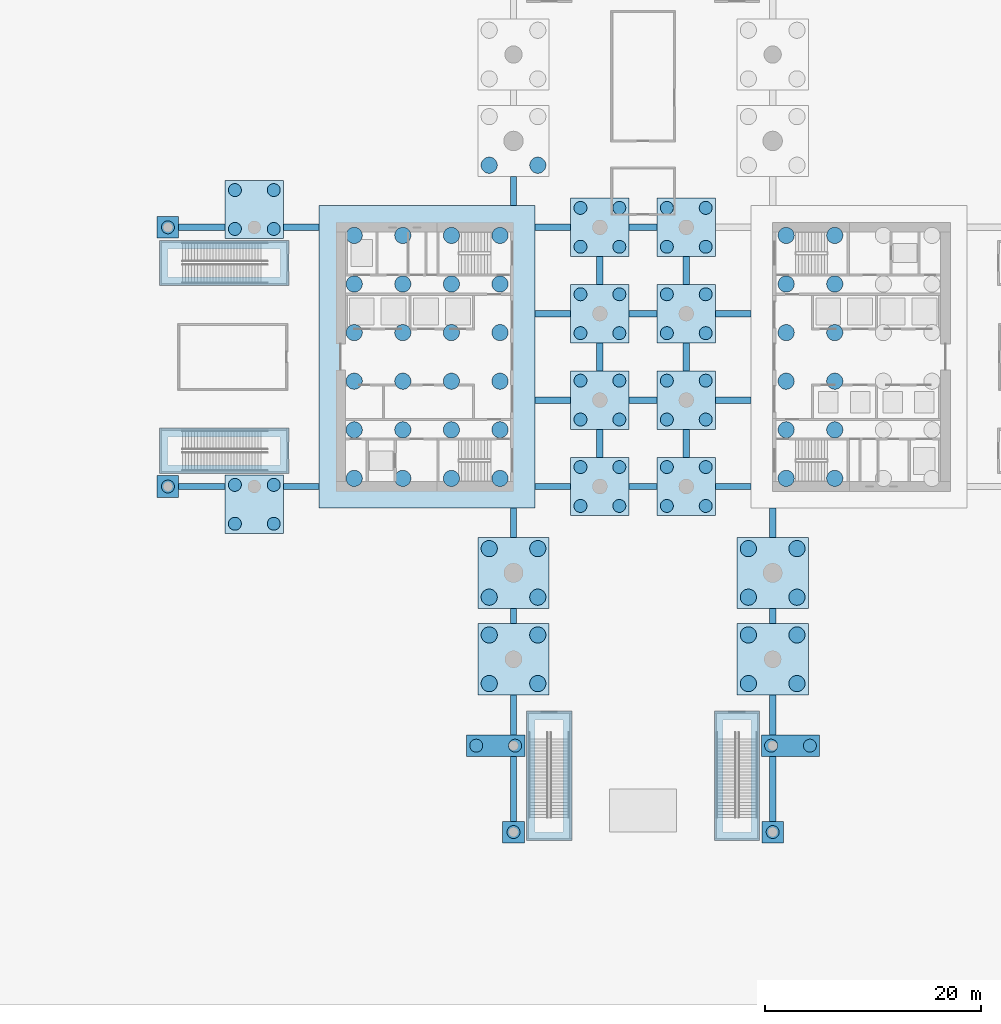
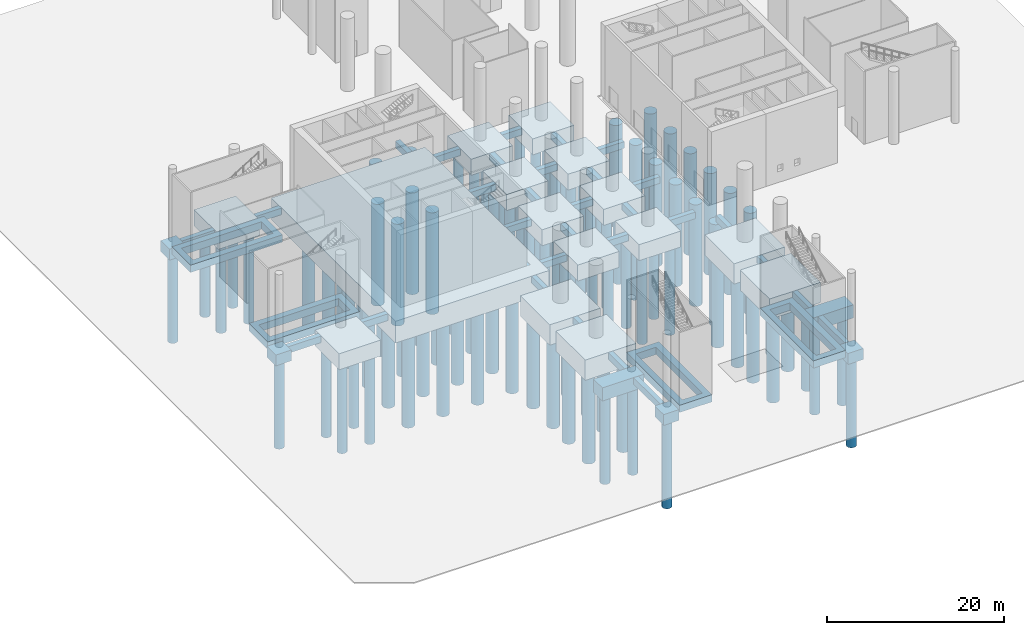
# One storey, part 1 of 14: 102 piles, 55 footings.
"""IFC4 building model written with IfcOpenShell, lengths in metres."""

from ifc_helpers import new_model, si_unit, direction, frame, origin, origin_2d, place, context, subcontext, project, spatial, polyline, rectangle, circle, outline, extrude, material, layer, layer_set, material_profile, profile_set, type_object, element, save


model = new_model("IFC4")

# Units and contexts
model_context = context("Model", 3, precision=1e-05, world=origin(), true_north=direction((0.0, 1.0)))
body_context = subcontext(model_context, "Body", "Model", "MODEL_VIEW")
ifc_project = project(units=[si_unit("LENGTHUNIT", "METRE"), si_unit("AREAUNIT", "SQUARE_METRE"), si_unit("VOLUMEUNIT", "CUBIC_METRE"), si_unit("PLANEANGLEUNIT", "RADIAN"), si_unit("MASSUNIT", "GRAM", prefix="KILO")], contexts=[model_context])

# Site, building, storey
site_placement = place(None, origin())
site = spatial("IfcSite", under=ifc_project, at=site_placement, CompositionType="ELEMENT")
building_placement = place(site_placement, origin())
building = spatial("IfcBuilding", under=site, at=building_placement, Name="Crosswind Convention Tower", CompositionType="ELEMENT")
storey_placement = place(building_placement, origin())
storey = spatial("IfcBuildingStorey", under=building, at=storey_placement, Name="L00", CompositionType="ELEMENT", Elevation=0.0)

# Piles
ifc_material = material(Name="Concrete C40/50", Category="concrete")
ifc_material_profile_1 = material_profile(ifc_material, circle(Radius=0.60009765625, at=origin_2d()), Name="Bored pile D1200")
ifc_profile_set_1 = profile_set([ifc_material_profile_1], Name="Concrete C40/50")
pile_type_1 = type_object("IfcPileType", Name="Bored pile D1200", PredefinedType="BORED", material=ifc_profile_set_1)
for number, where, z_axis, x_axis, name in (
    (1, (81.0, 88.0, -1.89990234375), (0.0, 0.0, -1.0), (1.0, 0.0, 0.0), "Bored pile D1200 at 1/E"),
    (2, (81.0, 112.0, -1.89990234375), (0.0, 0.0, -1.0), (1.0, 0.0, 0.0), "Bored pile D1200 at 1/H"),
    (3, (87.199951171875, 84.550048828125, -2.60009765625), (0.0, 0.0, -1.0), (1.0, 0.0, 0.0), "Bored pile D1200 at 2/E"),
    (4, (90.800048828125, 84.550048828125, -2.60009765625), (0.0, 0.0, -1.0), (1.0, 0.0, 0.0), "Bored pile D1200 at 2/E"),
    (5, (87.199951171875, 88.14990234375, -2.60009765625), (0.0, 0.0, -1.0), (1.0, 0.0, 0.0), "Bored pile D1200 at 2/E"),
    (6, (90.800048828125, 88.14990234375, -2.60009765625), (0.0, 0.0, -1.0), (1.0, 0.0, 0.0), "Bored pile D1200 at 2/E"),
    (7, (87.199951171875, 111.85009765625, -2.60009765625), (0.0, 0.0, -1.0), (1.0, 0.0, 0.0), "Bored pile D1200 at 2/H"),
    (8, (90.800048828125, 111.85009765625, -2.60009765625), (0.0, 0.0, -1.0), (1.0, 0.0, 0.0), "Bored pile D1200 at 2/H"),
    (9, (87.199951171875, 115.449951171875, -2.60009765625), (0.0, 0.0, -1.0), (1.0, 0.0, 0.0), "Bored pile D1200 at 2/H"),
    (10, (90.800048828125, 115.449951171875, -2.60009765625), (0.0, 0.0, -1.0), (1.0, 0.0, 0.0), "Bored pile D1200 at 2/H"),
    (11, (113.0, 56.0, -1.89990234375), (0.0, 0.0, -1.0), (1.0, 0.0, 0.0), "Bored pile D1200 at 5/A"),
    (12, (109.550048828125, 64.0, -2.199951171875), (0.0, 0.0, -1.0), (1.0, 0.0, 0.0), "Bored pile D1200 at 5/B"),
    (13, (113.14990234375, 64.0, -2.199951171875), (0.0, 0.0, -1.0), (1.0, 0.0, 0.0), "Bored pile D1200 at 5/B"),
    (14, (119.199951171875, 86.199951171875, -2.60009765625), (0.0, 0.0, -1.0), (1.0, 0.0, 0.0), "Bored pile D1200 at 6/E"),
    (15, (122.800048828125, 86.199951171875, -2.60009765625), (0.0, 0.0, -1.0), (1.0, 0.0, 0.0), "Bored pile D1200 at 6/E"),
    (16, (119.199951171875, 89.800048828125, -2.60009765625), (0.0, 0.0, -1.0), (1.0, 0.0, 0.0), "Bored pile D1200 at 6/E"),
    (17, (122.800048828125, 89.800048828125, -2.60009765625), (0.0, 0.0, -1.0), (1.0, 0.0, 0.0), "Bored pile D1200 at 6/E"),
    (18, (119.199951171875, 94.199951171875, -2.60009765625), (0.0, 0.0, -1.0), (1.0, 0.0, 0.0), "Bored pile D1200 at 6/F"),
    (19, (122.800048828125, 94.199951171875, -2.60009765625), (0.0, 0.0, -1.0), (1.0, 0.0, 0.0), "Bored pile D1200 at 6/F"),
    (20, (119.199951171875, 97.800048828125, -2.60009765625), (0.0, 0.0, -1.0), (1.0, 0.0, 0.0), "Bored pile D1200 at 6/F"),
    (21, (122.800048828125, 97.800048828125, -2.60009765625), (0.0, 0.0, -1.0), (1.0, 0.0, 0.0), "Bored pile D1200 at 6/F"),
    (22, (119.199951171875, 102.199951171875, -2.60009765625), (0.0, 0.0, -1.0), (1.0, 0.0, 0.0), "Bored pile D1200 at 6/G"),
    (23, (122.800048828125, 102.199951171875, -2.60009765625), (0.0, 0.0, -1.0), (1.0, 0.0, 0.0), "Bored pile D1200 at 6/G"),
    (24, (119.199951171875, 105.800048828125, -2.60009765625), (0.0, 0.0, -1.0), (1.0, 0.0, 0.0), "Bored pile D1200 at 6/G"),
    (25, (122.800048828125, 105.800048828125, -2.60009765625), (0.0, 0.0, -1.0), (1.0, 0.0, 0.0), "Bored pile D1200 at 6/G"),
    (26, (119.199951171875, 110.199951171875, -2.60009765625), (0.0, 0.0, -1.0), (1.0, 0.0, 0.0), "Bored pile D1200 at 6/H"),
    (27, (122.800048828125, 110.199951171875, -2.60009765625), (0.0, 0.0, -1.0), (1.0, 0.0, 0.0), "Bored pile D1200 at 6/H"),
    (28, (119.199951171875, 113.800048828125, -2.60009765625), (0.0, 0.0, -1.0), (1.0, 0.0, 0.0), "Bored pile D1200 at 6/H"),
    (29, (122.800048828125, 113.800048828125, -2.60009765625), (0.0, 0.0, -1.0), (1.0, 0.0, 0.0), "Bored pile D1200 at 6/H"),
    (30, (127.199951171875, 86.199951171875, -2.60009765625), (0.0, 0.0, -1.0), (1.0, 0.0, 0.0), "Bored pile D1200 at 7/E"),
    (31, (130.800048828125, 86.199951171875, -2.60009765625), (0.0, 0.0, -1.0), (1.0, 0.0, 0.0), "Bored pile D1200 at 7/E"),
    (32, (127.199951171875, 89.800048828125, -2.60009765625), (0.0, 0.0, -1.0), (1.0, 0.0, 0.0), "Bored pile D1200 at 7/E"),
    (33, (130.800048828125, 89.800048828125, -2.60009765625), (0.0, 0.0, -1.0), (1.0, 0.0, 0.0), "Bored pile D1200 at 7/E"),
    (34, (127.199951171875, 94.199951171875, -2.60009765625), (0.0, 0.0, -1.0), (1.0, 0.0, 0.0), "Bored pile D1200 at 7/F"),
    (35, (130.800048828125, 94.199951171875, -2.60009765625), (0.0, 0.0, -1.0), (1.0, 0.0, 0.0), "Bored pile D1200 at 7/F"),
    (36, (127.199951171875, 97.800048828125, -2.60009765625), (0.0, 0.0, -1.0), (1.0, 0.0, 0.0), "Bored pile D1200 at 7/F"),
    (37, (130.800048828125, 97.800048828125, -2.60009765625), (0.0, 0.0, -1.0), (1.0, 0.0, 0.0), "Bored pile D1200 at 7/F"),
    (38, (127.199951171875, 102.199951171875, -2.60009765625), (0.0, 0.0, -1.0), (1.0, 0.0, 0.0), "Bored pile D1200 at 7/G"),
    (39, (130.800048828125, 102.199951171875, -2.60009765625), (0.0, 0.0, -1.0), (1.0, 0.0, 0.0), "Bored pile D1200 at 7/G"),
    (40, (127.199951171875, 105.800048828125, -2.60009765625), (0.0, 0.0, -1.0), (1.0, 0.0, 0.0), "Bored pile D1200 at 7/G"),
    (41, (130.800048828125, 105.800048828125, -2.60009765625), (0.0, 0.0, -1.0), (1.0, 0.0, 0.0), "Bored pile D1200 at 7/G"),
    (42, (127.199951171875, 110.199951171875, -2.60009765625), (0.0, 0.0, -1.0), (1.0, 0.0, 0.0), "Bored pile D1200 at 7/H"),
    (43, (130.800048828125, 110.199951171875, -2.60009765625), (0.0, 0.0, -1.0), (1.0, 0.0, 0.0), "Bored pile D1200 at 7/H"),
    (44, (127.199951171875, 113.800048828125, -2.60009765625), (0.0, 0.0, -1.0), (1.0, 0.0, 0.0), "Bored pile D1200 at 7/H"),
    (45, (130.800048828125, 113.800048828125, -2.60009765625), (0.0, 0.0, -1.0), (1.0, 0.0, 0.0), "Bored pile D1200 at 7/H"),
    (46, (137.0, 56.0, -1.89990234375), (0.0, 0.0, -1.0), (1.0, 0.0, 0.0), "Bored pile D1200 at 8/A"),
    (47, (136.85009765625, 64.0, -2.199951171875), (0.0, 0.0, -1.0), (1.0, 0.0, 0.0), "Bored pile D1200 at 8/B"),
    (48, (140.449951171875, 64.0, -2.199951171875), (0.0, 0.0, -1.0), (1.0, 0.0, 0.0), "Bored pile D1200 at 8/B"),
):
    element("IfcPile", number, at=place(storey_placement, frame(where, z_axis=z_axis, x_axis=x_axis)), inside=storey, type_object=pile_type_1, Name=name, PredefinedType="BORED", context=body_context, shape_type="SweptSolid", body=[
        extrude(circle(Radius=0.60009765625, at=origin_2d()), origin(), (0.0, 0.0, 1.0), 12.0),
    ])
ifc_material_profile_2 = material_profile(ifc_material, circle(Radius=0.75, at=origin_2d()), Name="Bored pile D1500")
ifc_profile_set_2 = profile_set([ifc_material_profile_2], Name="Concrete C40/50")
pile_type_2 = type_object("IfcPileType", Name="Bored pile D1500", PredefinedType="BORED", material=ifc_profile_set_2)
for number, where, z_axis, x_axis, name in (
    (49, (138.25, 88.75, -3.39990234375), (0.0, 0.0, -1.0), (1.0, 0.0, 0.0), "Bored pile D1500 under core raft E"),
    (50, (138.25, 93.25, -3.39990234375), (0.0, 0.0, -1.0), (1.0, 0.0, 0.0), "Bored pile D1500 under core raft E"),
    (51, (138.25, 97.75, -3.39990234375), (0.0, 0.0, -1.0), (1.0, 0.0, 0.0), "Bored pile D1500 under core raft E"),
    (52, (138.25, 102.25, -3.39990234375), (0.0, 0.0, -1.0), (1.0, 0.0, 0.0), "Bored pile D1500 under core raft E"),
    (53, (138.25, 106.75, -3.39990234375), (0.0, 0.0, -1.0), (1.0, 0.0, 0.0), "Bored pile D1500 under core raft E"),
    (54, (138.25, 111.25, -3.39990234375), (0.0, 0.0, -1.0), (1.0, 0.0, 0.0), "Bored pile D1500 under core raft E"),
    (55, (142.75, 88.75, -3.39990234375), (0.0, 0.0, -1.0), (1.0, 0.0, 0.0), "Bored pile D1500 under core raft E"),
    (56, (142.75, 93.25, -3.39990234375), (0.0, 0.0, -1.0), (1.0, 0.0, 0.0), "Bored pile D1500 under core raft E"),
    (57, (142.75, 97.75, -3.39990234375), (0.0, 0.0, -1.0), (1.0, 0.0, 0.0), "Bored pile D1500 under core raft E"),
    (58, (142.75, 102.25, -3.39990234375), (0.0, 0.0, -1.0), (1.0, 0.0, 0.0), "Bored pile D1500 under core raft E"),
    (59, (142.75, 106.75, -3.39990234375), (0.0, 0.0, -1.0), (1.0, 0.0, 0.0), "Bored pile D1500 under core raft E"),
    (60, (142.75, 111.25, -3.39990234375), (0.0, 0.0, -1.0), (1.0, 0.0, 0.0), "Bored pile D1500 under core raft E"),
    (61, (98.25, 88.75, -3.39990234375), (0.0, 0.0, -1.0), (1.0, 0.0, 0.0), "Bored pile D1500 under core raft W"),
    (62, (98.25, 93.25, -3.39990234375), (0.0, 0.0, -1.0), (1.0, 0.0, 0.0), "Bored pile D1500 under core raft W"),
    (63, (98.25, 97.75, -3.39990234375), (0.0, 0.0, -1.0), (1.0, 0.0, 0.0), "Bored pile D1500 under core raft W"),
    (64, (98.25, 102.25, -3.39990234375), (0.0, 0.0, -1.0), (1.0, 0.0, 0.0), "Bored pile D1500 under core raft W"),
    (65, (98.25, 106.75, -3.39990234375), (0.0, 0.0, -1.0), (1.0, 0.0, 0.0), "Bored pile D1500 under core raft W"),
    (66, (98.25, 111.25, -3.39990234375), (0.0, 0.0, -1.0), (1.0, 0.0, 0.0), "Bored pile D1500 under core raft W"),
    (67, (102.75, 88.75, -3.39990234375), (0.0, 0.0, -1.0), (1.0, 0.0, 0.0), "Bored pile D1500 under core raft W"),
    (68, (102.75, 93.25, -3.39990234375), (0.0, 0.0, -1.0), (1.0, 0.0, 0.0), "Bored pile D1500 under core raft W"),
    (69, (102.75, 97.75, -3.39990234375), (0.0, 0.0, -1.0), (1.0, 0.0, 0.0), "Bored pile D1500 under core raft W"),
    (70, (102.75, 102.25, -3.39990234375), (0.0, 0.0, -1.0), (1.0, 0.0, 0.0), "Bored pile D1500 under core raft W"),
    (71, (102.75, 106.75, -3.39990234375), (0.0, 0.0, -1.0), (1.0, 0.0, 0.0), "Bored pile D1500 under core raft W"),
    (72, (102.75, 111.25, -3.39990234375), (0.0, 0.0, -1.0), (1.0, 0.0, 0.0), "Bored pile D1500 under core raft W"),
    (73, (107.25, 88.75, -3.39990234375), (0.0, 0.0, -1.0), (1.0, 0.0, 0.0), "Bored pile D1500 under core raft W"),
    (74, (107.25, 93.25, -3.39990234375), (0.0, 0.0, -1.0), (1.0, 0.0, 0.0), "Bored pile D1500 under core raft W"),
    (75, (107.25, 97.75, -3.39990234375), (0.0, 0.0, -1.0), (1.0, 0.0, 0.0), "Bored pile D1500 under core raft W"),
    (76, (107.25, 102.25, -3.39990234375), (0.0, 0.0, -1.0), (1.0, 0.0, 0.0), "Bored pile D1500 under core raft W"),
    (77, (107.25, 106.75, -3.39990234375), (0.0, 0.0, -1.0), (1.0, 0.0, 0.0), "Bored pile D1500 under core raft W"),
    (78, (107.25, 111.25, -3.39990234375), (0.0, 0.0, -1.0), (1.0, 0.0, 0.0), "Bored pile D1500 under core raft W"),
    (79, (111.75, 88.75, -3.39990234375), (0.0, 0.0, -1.0), (1.0, 0.0, 0.0), "Bored pile D1500 under core raft W"),
    (80, (111.75, 93.25, -3.39990234375), (0.0, 0.0, -1.0), (1.0, 0.0, 0.0), "Bored pile D1500 under core raft W"),
    (81, (111.75, 97.75, -3.39990234375), (0.0, 0.0, -1.0), (1.0, 0.0, 0.0), "Bored pile D1500 under core raft W"),
    (82, (111.75, 102.25, -3.39990234375), (0.0, 0.0, -1.0), (1.0, 0.0, 0.0), "Bored pile D1500 under core raft W"),
    (83, (111.75, 106.75, -3.39990234375), (0.0, 0.0, -1.0), (1.0, 0.0, 0.0), "Bored pile D1500 under core raft W"),
    (84, (111.75, 111.25, -3.39990234375), (0.0, 0.0, -1.0), (1.0, 0.0, 0.0), "Bored pile D1500 under core raft W"),
):
    element("IfcPile", number, at=place(storey_placement, frame(where, z_axis=z_axis, x_axis=x_axis)), inside=storey, type_object=pile_type_2, Name=name, PredefinedType="BORED", context=body_context, shape_type="SweptSolid", body=[
        extrude(circle(Radius=0.75, at=origin_2d()), origin(), (0.0, 0.0, 1.0), 14.0),
    ])
for number, where, z_axis, x_axis, name in (
    (85, (110.75, 69.75, -3.199951171875), (0.0, 0.0, -1.0), (1.0, 0.0, 0.0), "Bored pile D1500 at 5/C"),
    (86, (115.25, 69.75, -3.199951171875), (0.0, 0.0, -1.0), (1.0, 0.0, 0.0), "Bored pile D1500 at 5/C"),
    (87, (110.75, 74.25, -3.199951171875), (0.0, 0.0, -1.0), (1.0, 0.0, 0.0), "Bored pile D1500 at 5/C"),
    (88, (115.25, 74.25, -3.199951171875), (0.0, 0.0, -1.0), (1.0, 0.0, 0.0), "Bored pile D1500 at 5/C"),
    (89, (110.75, 77.75, -3.199951171875), (0.0, 0.0, -1.0), (1.0, 0.0, 0.0), "Bored pile D1500 at 5/D"),
    (90, (115.25, 77.75, -3.199951171875), (0.0, 0.0, -1.0), (1.0, 0.0, 0.0), "Bored pile D1500 at 5/D"),
    (91, (110.75, 82.25, -3.199951171875), (0.0, 0.0, -1.0), (1.0, 0.0, 0.0), "Bored pile D1500 at 5/D"),
    (92, (115.25, 82.25, -3.199951171875), (0.0, 0.0, -1.0), (1.0, 0.0, 0.0), "Bored pile D1500 at 5/D"),
    (93, (110.75, 117.75, -3.199951171875), (0.0, 0.0, -1.0), (1.0, 0.0, 0.0), "Bored pile D1500 at 5/I"),
    (94, (115.25, 117.75, -3.199951171875), (0.0, 0.0, -1.0), (1.0, 0.0, 0.0), "Bored pile D1500 at 5/I"),
    (95, (134.75, 69.75, -3.199951171875), (0.0, 0.0, -1.0), (1.0, 0.0, 0.0), "Bored pile D1500 at 8/C"),
    (96, (139.25, 69.75, -3.199951171875), (0.0, 0.0, -1.0), (1.0, 0.0, 0.0), "Bored pile D1500 at 8/C"),
    (97, (134.75, 74.25, -3.199951171875), (0.0, 0.0, -1.0), (1.0, 0.0, 0.0), "Bored pile D1500 at 8/C"),
    (98, (139.25, 74.25, -3.199951171875), (0.0, 0.0, -1.0), (1.0, 0.0, 0.0), "Bored pile D1500 at 8/C"),
    (99, (134.75, 77.75, -3.199951171875), (0.0, 0.0, -1.0), (1.0, 0.0, 0.0), "Bored pile D1500 at 8/D"),
    (100, (139.25, 77.75, -3.199951171875), (0.0, 0.0, -1.0), (1.0, 0.0, 0.0), "Bored pile D1500 at 8/D"),
    (101, (134.75, 82.25, -3.199951171875), (0.0, 0.0, -1.0), (1.0, 0.0, 0.0), "Bored pile D1500 at 8/D"),
    (102, (139.25, 82.25, -3.199951171875), (0.0, 0.0, -1.0), (1.0, 0.0, 0.0), "Bored pile D1500 at 8/D"),
):
    element("IfcPile", number, at=place(storey_placement, frame(where, z_axis=z_axis, x_axis=x_axis)), inside=storey, type_object=pile_type_2, Name=name, PredefinedType="BORED", context=body_context, shape_type="SweptSolid", body=[
        extrude(circle(Radius=0.75, at=origin_2d()), origin(), (0.0, 0.0, 1.0), 12.0),
    ])

# Footings
ifc_layer_1 = layer(ifc_material, 3.0)
ifc_layer_set_1 = layer_set([ifc_layer_1], Name="Concrete C40/50")
footing_type_1 = type_object("IfcFootingType", Name="Core raft", PredefinedType="PAD_FOOTING", material=ifc_layer_set_1)
footing_1_placement = place(storey_placement, frame((105.0, 100.0, -3.39990234375), z_axis=(0.0, 0.0, 1.0), x_axis=(1.0, 0.0, 0.0)))
element("IfcFooting", 103, at=footing_1_placement, inside=storey, type_object=footing_type_1, Name="Core raft W", PredefinedType="PAD_FOOTING", context=body_context, shape_type="SweptSolid", body=[
    extrude(rectangle(XDim=20.0, YDim=28.0, at=origin_2d()), origin(), (0.0, 0.0, 1.0), 3.0),
])
footing_type_2 = type_object("IfcFootingType", Name="Ground beam 600 x 900", PredefinedType="FOOTING_BEAM", material=ifc_material)
footing_2_placement = place(storey_placement, frame((84.14990234375, 88.0, -1.300048828125), z_axis=(0.0, 0.0, 1.0), x_axis=(1.0, 0.0, 0.0)))
element("IfcFooting", 104, at=footing_2_placement, inside=storey, type_object=footing_type_2, Name="Ground beam 1", PredefinedType="FOOTING_BEAM", context=body_context, shape_type="SweptSolid", body=[
    extrude(rectangle(XDim=4.300048828125, YDim=0.60009765625, at=origin_2d()), origin(), (0.0, 0.0, 1.0), 0.89990234375),
])
for number, where, z_axis, x_axis, name in (
    (105, (93.35009765625, 88.0, -1.300048828125), (0.0, 0.0, 1.0), (1.0, 0.0, 0.0), "Ground beam 2"),
    (106, (116.64990234375, 88.0, -1.300048828125), (0.0, 0.0, 1.0), (1.0, 0.0, 0.0), "Ground beam 3"),
):
    element("IfcFooting", number, at=place(storey_placement, frame(where, z_axis=z_axis, x_axis=x_axis)), inside=storey, type_object=footing_type_2, Name=name, PredefinedType="FOOTING_BEAM", context=body_context, shape_type="SweptSolid", body=[
        extrude(rectangle(XDim=3.300048828125, YDim=0.60009765625, at=origin_2d()), origin(), (0.0, 0.0, 1.0), 0.89990234375),
    ])
footing_3_placement = place(storey_placement, frame((125.0, 88.0, -1.300048828125), z_axis=(0.0, 0.0, 1.0), x_axis=(1.0, 0.0, 0.0)))
element("IfcFooting", 107, at=footing_3_placement, inside=storey, type_object=footing_type_2, Name="Ground beam 4", PredefinedType="FOOTING_BEAM", context=body_context, shape_type="SweptSolid", body=[
    extrude(rectangle(XDim=2.60009765625, YDim=0.60009765625, at=origin_2d()), origin(), (0.0, 0.0, 1.0), 0.89990234375),
])
for number, where, z_axis, x_axis, name in (
    (108, (133.35009765625, 88.0, -1.300048828125), (0.0, 0.0, 1.0), (1.0, 0.0, 0.0), "Ground beam 5"),
    (109, (116.64990234375, 96.0, -1.300048828125), (0.0, 0.0, 1.0), (1.0, 0.0, 0.0), "Ground beam 8"),
):
    element("IfcFooting", number, at=place(storey_placement, frame(where, z_axis=z_axis, x_axis=x_axis)), inside=storey, type_object=footing_type_2, Name=name, PredefinedType="FOOTING_BEAM", context=body_context, shape_type="SweptSolid", body=[
        extrude(rectangle(XDim=3.300048828125, YDim=0.60009765625, at=origin_2d()), origin(), (0.0, 0.0, 1.0), 0.89990234375),
    ])
footing_4_placement = place(storey_placement, frame((125.0, 96.0, -1.300048828125), z_axis=(0.0, 0.0, 1.0), x_axis=(1.0, 0.0, 0.0)))
element("IfcFooting", 110, at=footing_4_placement, inside=storey, type_object=footing_type_2, Name="Ground beam 9", PredefinedType="FOOTING_BEAM", context=body_context, shape_type="SweptSolid", body=[
    extrude(rectangle(XDim=2.60009765625, YDim=0.60009765625, at=origin_2d()), origin(), (0.0, 0.0, 1.0), 0.89990234375),
])
for number, where, z_axis, x_axis, name in (
    (111, (133.35009765625, 96.0, -1.300048828125), (0.0, 0.0, 1.0), (1.0, 0.0, 0.0), "Ground beam 10"),
    (112, (116.64990234375, 104.0, -1.300048828125), (0.0, 0.0, 1.0), (1.0, 0.0, 0.0), "Ground beam 11"),
):
    element("IfcFooting", number, at=place(storey_placement, frame(where, z_axis=z_axis, x_axis=x_axis)), inside=storey, type_object=footing_type_2, Name=name, PredefinedType="FOOTING_BEAM", context=body_context, shape_type="SweptSolid", body=[
        extrude(rectangle(XDim=3.300048828125, YDim=0.60009765625, at=origin_2d()), origin(), (0.0, 0.0, 1.0), 0.89990234375),
    ])
footing_5_placement = place(storey_placement, frame((125.0, 104.0, -1.300048828125), z_axis=(0.0, 0.0, 1.0), x_axis=(1.0, 0.0, 0.0)))
element("IfcFooting", 113, at=footing_5_placement, inside=storey, type_object=footing_type_2, Name="Ground beam 12", PredefinedType="FOOTING_BEAM", context=body_context, shape_type="SweptSolid", body=[
    extrude(rectangle(XDim=2.60009765625, YDim=0.60009765625, at=origin_2d()), origin(), (0.0, 0.0, 1.0), 0.89990234375),
])
footing_6_placement = place(storey_placement, frame((133.35009765625, 104.0, -1.300048828125), z_axis=(0.0, 0.0, 1.0), x_axis=(1.0, 0.0, 0.0)))
element("IfcFooting", 114, at=footing_6_placement, inside=storey, type_object=footing_type_2, Name="Ground beam 13", PredefinedType="FOOTING_BEAM", context=body_context, shape_type="SweptSolid", body=[
    extrude(rectangle(XDim=3.300048828125, YDim=0.60009765625, at=origin_2d()), origin(), (0.0, 0.0, 1.0), 0.89990234375),
])
footing_7_placement = place(storey_placement, frame((84.14990234375, 112.0, -1.300048828125), z_axis=(0.0, 0.0, 1.0), x_axis=(1.0, 0.0, 0.0)))
element("IfcFooting", 115, at=footing_7_placement, inside=storey, type_object=footing_type_2, Name="Ground beam 14", PredefinedType="FOOTING_BEAM", context=body_context, shape_type="SweptSolid", body=[
    extrude(rectangle(XDim=4.300048828125, YDim=0.60009765625, at=origin_2d()), origin(), (0.0, 0.0, 1.0), 0.89990234375),
])
for number, where, z_axis, x_axis, name in (
    (116, (93.35009765625, 112.0, -1.300048828125), (0.0, 0.0, 1.0), (1.0, 0.0, 0.0), "Ground beam 15"),
    (117, (116.64990234375, 112.0, -1.300048828125), (0.0, 0.0, 1.0), (1.0, 0.0, 0.0), "Ground beam 16"),
):
    element("IfcFooting", number, at=place(storey_placement, frame(where, z_axis=z_axis, x_axis=x_axis)), inside=storey, type_object=footing_type_2, Name=name, PredefinedType="FOOTING_BEAM", context=body_context, shape_type="SweptSolid", body=[
        extrude(rectangle(XDim=3.300048828125, YDim=0.60009765625, at=origin_2d()), origin(), (0.0, 0.0, 1.0), 0.89990234375),
    ])
footing_8_placement = place(storey_placement, frame((125.0, 112.0, -1.300048828125), z_axis=(0.0, 0.0, 1.0), x_axis=(1.0, 0.0, 0.0)))
element("IfcFooting", 118, at=footing_8_placement, inside=storey, type_object=footing_type_2, Name="Ground beam 17", PredefinedType="FOOTING_BEAM", context=body_context, shape_type="SweptSolid", body=[
    extrude(rectangle(XDim=2.60009765625, YDim=0.60009765625, at=origin_2d()), origin(), (0.0, 0.0, 1.0), 0.89990234375),
])
footing_9_placement = place(storey_placement, frame((113.0, 60.0, -1.300048828125), z_axis=(0.0, 0.0, 1.0), x_axis=(1.0, 0.0, 0.0)))
element("IfcFooting", 119, at=footing_9_placement, inside=storey, type_object=footing_type_2, Name="Ground beam 21", PredefinedType="FOOTING_BEAM", context=body_context, shape_type="SweptSolid", body=[
    extrude(rectangle(XDim=0.60009765625, YDim=6.0, at=origin_2d()), origin(), (0.0, 0.0, 1.0), 0.89990234375),
])
footing_10_placement = place(storey_placement, frame((113.0, 66.85009765625, -1.300048828125), z_axis=(0.0, 0.0, 1.0), x_axis=(1.0, 0.0, 0.0)))
element("IfcFooting", 120, at=footing_10_placement, inside=storey, type_object=footing_type_2, Name="Ground beam 22", PredefinedType="FOOTING_BEAM", context=body_context, shape_type="SweptSolid", body=[
    extrude(rectangle(XDim=0.60009765625, YDim=3.699951171875, at=origin_2d()), origin(), (0.0, 0.0, 1.0), 0.89990234375),
])
footing_11_placement = place(storey_placement, frame((113.0, 76.0, -1.300048828125), z_axis=(0.0, 0.0, 1.0), x_axis=(1.0, 0.0, 0.0)))
element("IfcFooting", 121, at=footing_11_placement, inside=storey, type_object=footing_type_2, Name="Ground beam 23", PredefinedType="FOOTING_BEAM", context=body_context, shape_type="SweptSolid", body=[
    extrude(rectangle(XDim=0.60009765625, YDim=1.39990234375, at=origin_2d()), origin(), (0.0, 0.0, 1.0), 0.89990234375),
])
for number, where, z_axis, x_axis, name in (
    (122, (113.0, 84.64990234375, -1.300048828125), (0.0, 0.0, 1.0), (1.0, 0.0, 0.0), "Ground beam 24"),
    (123, (113.0, 115.35009765625, -1.300048828125), (0.0, 0.0, 1.0), (1.0, 0.0, 0.0), "Ground beam 25"),
):
    element("IfcFooting", number, at=place(storey_placement, frame(where, z_axis=z_axis, x_axis=x_axis)), inside=storey, type_object=footing_type_2, Name=name, PredefinedType="FOOTING_BEAM", context=body_context, shape_type="SweptSolid", body=[
        extrude(rectangle(XDim=0.60009765625, YDim=2.699951171875, at=origin_2d()), origin(), (0.0, 0.0, 1.0), 0.89990234375),
    ])
for number, where, z_axis, x_axis, name in (
    (124, (121.0, 92.0, -1.300048828125), (0.0, 0.0, 1.0), (1.0, 0.0, 0.0), "Ground beam 29"),
    (125, (121.0, 100.0, -1.300048828125), (0.0, 0.0, 1.0), (1.0, 0.0, 0.0), "Ground beam 30"),
    (126, (121.0, 108.0, -1.300048828125), (0.0, 0.0, 1.0), (1.0, 0.0, 0.0), "Ground beam 31"),
    (127, (129.0, 92.0, -1.300048828125), (0.0, 0.0, 1.0), (1.0, 0.0, 0.0), "Ground beam 32"),
    (128, (129.0, 100.0, -1.300048828125), (0.0, 0.0, 1.0), (1.0, 0.0, 0.0), "Ground beam 33"),
    (129, (129.0, 108.0, -1.300048828125), (0.0, 0.0, 1.0), (1.0, 0.0, 0.0), "Ground beam 34"),
):
    element("IfcFooting", number, at=place(storey_placement, frame(where, z_axis=z_axis, x_axis=x_axis)), inside=storey, type_object=footing_type_2, Name=name, PredefinedType="FOOTING_BEAM", context=body_context, shape_type="SweptSolid", body=[
        extrude(rectangle(XDim=0.60009765625, YDim=2.60009765625, at=origin_2d()), origin(), (0.0, 0.0, 1.0), 0.89990234375),
    ])
footing_12_placement = place(storey_placement, frame((137.0, 60.0, -1.300048828125), z_axis=(0.0, 0.0, 1.0), x_axis=(1.0, 0.0, 0.0)))
element("IfcFooting", 130, at=footing_12_placement, inside=storey, type_object=footing_type_2, Name="Ground beam 35", PredefinedType="FOOTING_BEAM", context=body_context, shape_type="SweptSolid", body=[
    extrude(rectangle(XDim=0.60009765625, YDim=6.0, at=origin_2d()), origin(), (0.0, 0.0, 1.0), 0.89990234375),
])
footing_13_placement = place(storey_placement, frame((137.0, 66.85009765625, -1.300048828125), z_axis=(0.0, 0.0, 1.0), x_axis=(1.0, 0.0, 0.0)))
element("IfcFooting", 131, at=footing_13_placement, inside=storey, type_object=footing_type_2, Name="Ground beam 36", PredefinedType="FOOTING_BEAM", context=body_context, shape_type="SweptSolid", body=[
    extrude(rectangle(XDim=0.60009765625, YDim=3.699951171875, at=origin_2d()), origin(), (0.0, 0.0, 1.0), 0.89990234375),
])
footing_14_placement = place(storey_placement, frame((137.0, 76.0, -1.300048828125), z_axis=(0.0, 0.0, 1.0), x_axis=(1.0, 0.0, 0.0)))
element("IfcFooting", 132, at=footing_14_placement, inside=storey, type_object=footing_type_2, Name="Ground beam 37", PredefinedType="FOOTING_BEAM", context=body_context, shape_type="SweptSolid", body=[
    extrude(rectangle(XDim=0.60009765625, YDim=1.39990234375, at=origin_2d()), origin(), (0.0, 0.0, 1.0), 0.89990234375),
])
footing_15_placement = place(storey_placement, frame((137.0, 84.64990234375, -1.300048828125), z_axis=(0.0, 0.0, 1.0), x_axis=(1.0, 0.0, 0.0)))
element("IfcFooting", 133, at=footing_15_placement, inside=storey, type_object=footing_type_2, Name="Ground beam 38", PredefinedType="FOOTING_BEAM", context=body_context, shape_type="SweptSolid", body=[
    extrude(rectangle(XDim=0.60009765625, YDim=2.699951171875, at=origin_2d()), origin(), (0.0, 0.0, 1.0), 0.89990234375),
])
ifc_layer_2 = layer(ifc_material, 1.5)
ifc_layer_set_2 = layer_set([ifc_layer_2], Name="Concrete C40/50")
footing_type_3 = type_object("IfcFootingType", Name="Pile cap 2000 MM x 2000 MM x 1500 MM", PredefinedType="PILE_CAP", material=ifc_layer_set_2)
for number, where, z_axis, x_axis, name in (
    (134, (81.0, 88.0, -1.89990234375), (0.0, 0.0, 1.0), (1.0, 0.0, 0.0), "Pile cap at 1/E"),
    (135, (81.0, 112.0, -1.89990234375), (0.0, 0.0, 1.0), (1.0, 0.0, 0.0), "Pile cap at 1/H"),
    (136, (113.0, 56.0, -1.89990234375), (0.0, 0.0, 1.0), (1.0, 0.0, 0.0), "Pile cap at 5/A"),
    (137, (137.0, 56.0, -1.89990234375), (0.0, 0.0, 1.0), (1.0, 0.0, 0.0), "Pile cap at 8/A"),
):
    element("IfcFooting", number, at=place(storey_placement, frame(where, z_axis=z_axis, x_axis=x_axis)), inside=storey, type_object=footing_type_3, Name=name, PredefinedType="PILE_CAP", context=body_context, shape_type="SweptSolid", body=[
        extrude(rectangle(XDim=2.0, YDim=2.0, at=origin_2d()), origin(), (0.0, 0.0, 1.0), 1.5),
    ])
ifc_layer_3 = layer(ifc_material, 1.800048828125)
ifc_layer_set_3 = layer_set([ifc_layer_3], Name="Concrete C40/50")
footing_type_4 = type_object("IfcFootingType", Name="Pile cap 5400 MM x 2000 MM x 1800 MM", PredefinedType="PILE_CAP", material=ifc_layer_set_3)
for number, where, z_axis, x_axis, name in (
    (138, (111.35009765625, 64.0, -2.2001953125), (0.0, 0.0, 1.0), (1.0, 0.0, 0.0), "Pile cap at 5/B"),
    (139, (138.64990234375, 64.0, -2.2001953125), (0.0, 0.0, 1.0), (1.0, 0.0, 0.0), "Pile cap at 8/B"),
):
    element("IfcFooting", number, at=place(storey_placement, frame(where, z_axis=z_axis, x_axis=x_axis)), inside=storey, type_object=footing_type_4, Name=name, PredefinedType="PILE_CAP", context=body_context, shape_type="SweptSolid", body=[
        extrude(rectangle(XDim=5.39990234375, YDim=2.0, at=origin_2d()), origin(), (0.0, 0.0, 1.0), 1.800048828125),
    ])
ifc_layer_4 = layer(ifc_material, 2.199951171875)
ifc_layer_set_4 = layer_set([ifc_layer_4], Name="Concrete C40/50")
footing_type_5 = type_object("IfcFootingType", Name="Pile cap 5400 MM x 5400 MM x 2200 MM", PredefinedType="PILE_CAP", material=ifc_layer_set_4)
for number, where, z_axis, x_axis, name in (
    (140, (89.0, 86.35009765625, -2.60009765625), (0.0, 0.0, 1.0), (1.0, 0.0, 0.0), "Pile cap at 2/E"),
    (141, (89.0, 113.64990234375, -2.60009765625), (0.0, 0.0, 1.0), (1.0, 0.0, 0.0), "Pile cap at 2/H"),
    (142, (121.0, 88.0, -2.60009765625), (0.0, 0.0, 1.0), (1.0, 0.0, 0.0), "Pile cap at 6/E"),
    (143, (121.0, 96.0, -2.60009765625), (0.0, 0.0, 1.0), (1.0, 0.0, 0.0), "Pile cap at 6/F"),
    (144, (121.0, 104.0, -2.60009765625), (0.0, 0.0, 1.0), (1.0, 0.0, 0.0), "Pile cap at 6/G"),
    (145, (121.0, 112.0, -2.60009765625), (0.0, 0.0, 1.0), (1.0, 0.0, 0.0), "Pile cap at 6/H"),
    (146, (129.0, 88.0, -2.60009765625), (0.0, 0.0, 1.0), (1.0, 0.0, 0.0), "Pile cap at 7/E"),
    (147, (129.0, 96.0, -2.60009765625), (0.0, 0.0, 1.0), (1.0, 0.0, 0.0), "Pile cap at 7/F"),
    (148, (129.0, 104.0, -2.60009765625), (0.0, 0.0, 1.0), (1.0, 0.0, 0.0), "Pile cap at 7/G"),
    (149, (129.0, 112.0, -2.60009765625), (0.0, 0.0, 1.0), (1.0, 0.0, 0.0), "Pile cap at 7/H"),
):
    element("IfcFooting", number, at=place(storey_placement, frame(where, z_axis=z_axis, x_axis=x_axis)), inside=storey, type_object=footing_type_5, Name=name, PredefinedType="PILE_CAP", context=body_context, shape_type="SweptSolid", body=[
        extrude(rectangle(XDim=5.39990234375, YDim=5.39990234375, at=origin_2d()), origin(), (0.0, 0.0, 1.0), 2.199951171875),
    ])
ifc_layer_5 = layer(ifc_material, 2.800048828125)
ifc_layer_set_5 = layer_set([ifc_layer_5], Name="Concrete C40/50")
footing_type_6 = type_object("IfcFootingType", Name="Pile cap 6600 MM x 6600 MM x 2800 MM", PredefinedType="PILE_CAP", material=ifc_layer_set_5)
for number, where, z_axis, x_axis, name in (
    (150, (113.0, 72.0, -3.2001953125), (0.0, 0.0, 1.0), (1.0, 0.0, 0.0), "Pile cap at 5/C"),
    (151, (113.0, 80.0, -3.2001953125), (0.0, 0.0, 1.0), (1.0, 0.0, 0.0), "Pile cap at 5/D"),
    (152, (137.0, 72.0, -3.2001953125), (0.0, 0.0, 1.0), (1.0, 0.0, 0.0), "Pile cap at 8/C"),
    (153, (137.0, 80.0, -3.2001953125), (0.0, 0.0, 1.0), (1.0, 0.0, 0.0), "Pile cap at 8/D"),
):
    element("IfcFooting", number, at=place(storey_placement, frame(where, z_axis=z_axis, x_axis=x_axis)), inside=storey, type_object=footing_type_6, Name=name, PredefinedType="PILE_CAP", context=body_context, shape_type="SweptSolid", body=[
        extrude(rectangle(XDim=6.60009765625, YDim=6.60009765625, at=origin_2d()), origin(), (0.0, 0.0, 1.0), 2.800048828125),
    ])
ifc_layer_6 = layer(ifc_material, 1.0)
ifc_layer_set_6 = layer_set([ifc_layer_6], Name="Concrete C40/50")
footing_type_7 = type_object("IfcFootingType", Name="Stair enclosure strip footing", PredefinedType="STRIP_FOOTING", material=ifc_layer_set_6)
footing_16_placement = place(storey_placement, frame((0.0, 0.0, -1.0)))
element("IfcFooting", 154, at=footing_16_placement, inside=storey, type_object=footing_type_7, Name="Strip footing under stair enclosure S1", PredefinedType="STRIP_FOOTING", context=body_context, shape_type="SweptSolid", body=[
    extrude(outline(polyline([(114.199951171875, 55.199951171875), (118.39990234375, 55.199951171875), (118.39990234375, 67.199951171875), (114.199951171875, 67.199951171875), (114.199951171875, 55.199951171875)]), holes=[polyline([(115.0, 56.0), (115.0, 66.39990234375), (117.60009765625, 66.39990234375), (117.60009765625, 56.0), (115.0, 56.0)])]), origin(), (0.0, 0.0, 1.0), 1.0),
])
footing_17_placement = place(storey_placement, frame((0.0, 0.0, -1.0)))
element("IfcFooting", 155, at=footing_17_placement, inside=storey, type_object=footing_type_7, Name="Strip footing under stair enclosure S2", PredefinedType="STRIP_FOOTING", context=body_context, shape_type="SweptSolid", body=[
    extrude(outline(polyline([(131.60009765625, 55.199951171875), (135.800048828125, 55.199951171875), (135.800048828125, 67.199951171875), (131.60009765625, 67.199951171875), (131.60009765625, 55.199951171875)]), holes=[polyline([(132.39990234375, 56.0), (132.39990234375, 66.39990234375), (135.0, 66.39990234375), (135.0, 56.0), (132.39990234375, 56.0)])]), origin(), (0.0, 0.0, 1.0), 1.0),
])
footing_18_placement = place(storey_placement, frame((0.0, 0.0, -1.0)))
element("IfcFooting", 156, at=footing_18_placement, inside=storey, type_object=footing_type_7, Name="Strip footing under stair enclosure W1", PredefinedType="STRIP_FOOTING", context=body_context, shape_type="SweptSolid", body=[
    extrude(outline(polyline([(80.199951171875, 89.199951171875), (92.199951171875, 89.199951171875), (92.199951171875, 93.39990234375), (80.199951171875, 93.39990234375), (80.199951171875, 89.199951171875)]), holes=[polyline([(81.0, 90.0), (81.0, 92.60009765625), (91.39990234375, 92.60009765625), (91.39990234375, 90.0), (81.0, 90.0)])]), origin(), (0.0, 0.0, 1.0), 1.0),
])
footing_19_placement = place(storey_placement, frame((0.0, 0.0, -1.0)))
element("IfcFooting", 157, at=footing_19_placement, inside=storey, type_object=footing_type_7, Name="Strip footing under stair enclosure W2", PredefinedType="STRIP_FOOTING", context=body_context, shape_type="SweptSolid", body=[
    extrude(outline(polyline([(80.199951171875, 106.60009765625), (92.199951171875, 106.60009765625), (92.199951171875, 110.800048828125), (80.199951171875, 110.800048828125), (80.199951171875, 106.60009765625)]), holes=[polyline([(81.0, 107.39990234375), (81.0, 110.0), (91.39990234375, 110.0), (91.39990234375, 107.39990234375), (81.0, 107.39990234375)])]), origin(), (0.0, 0.0, 1.0), 1.0),
])

save(model, "model.ifc")
